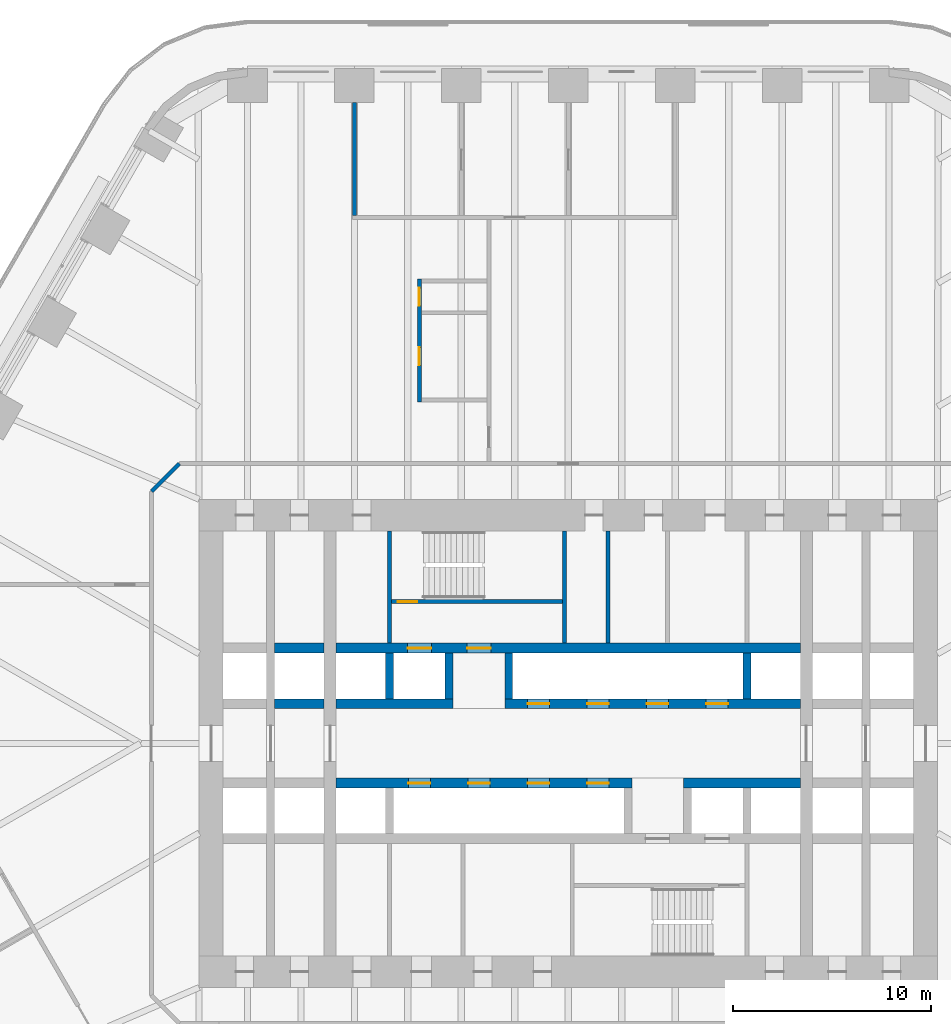
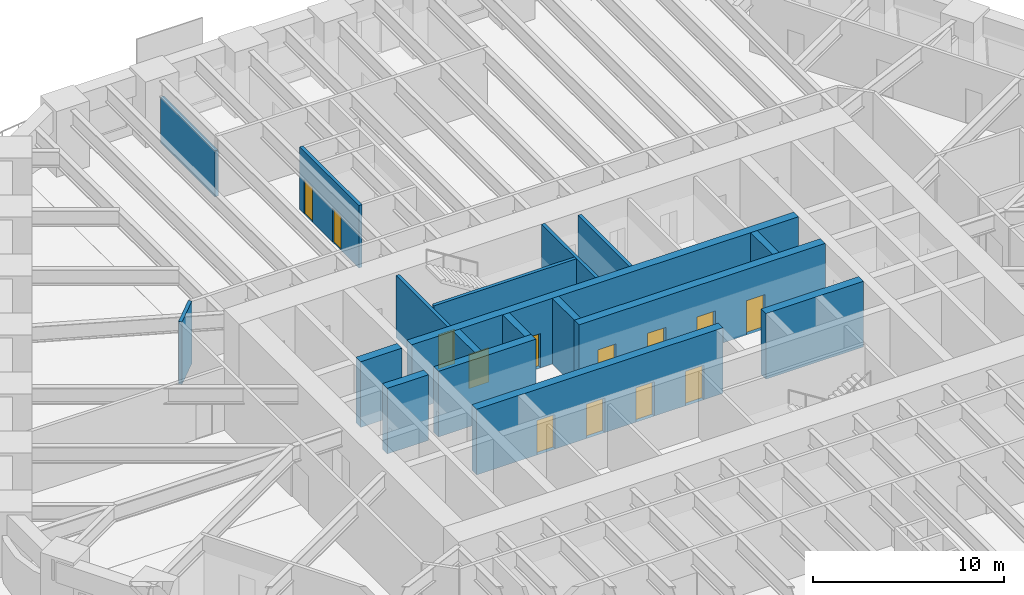
# One storey, part 18 of 24: 18 walls, 13 doors, 13 openings.
"""IFC4 building model written with IfcOpenShell, lengths in metres."""

from ifc_helpers import new_model, si_unit, direction, frame, frame_2d, origin, place, context, subcontext, project, spatial, rectangle, extrude, material, layer, layer_set, type_object, element, fill, save


model = new_model("IFC4")

# Units and contexts
model_context = context("Model", 3, precision=1e-05, world=origin(), true_north=direction((0.0, 1.0)))
body_context = subcontext(model_context, "Body", "Model", "MODEL_VIEW")
ifc_project = project(units=[si_unit("LENGTHUNIT", "METRE"), si_unit("AREAUNIT", "SQUARE_METRE"), si_unit("VOLUMEUNIT", "CUBIC_METRE"), si_unit("PLANEANGLEUNIT", "RADIAN"), si_unit("MASSUNIT", "GRAM", prefix="KILO")], contexts=[model_context])

# Site, building, storey
site_placement = place(None, origin())
site = spatial("IfcSite", under=ifc_project, at=site_placement, CompositionType="ELEMENT")
building_placement = place(site_placement, origin())
building = spatial("IfcBuilding", under=site, at=building_placement, Name="Tarfa Lantern Tower", CompositionType="ELEMENT")
storey_placement = place(building_placement, frame((0.0, 0.0, 65.5)))
storey = spatial("IfcBuildingStorey", under=building, at=storey_placement, Name="L14", CompositionType="ELEMENT", Elevation=65.5)

# Walls
ifc_material_1 = material(Name="Concrete blockwork", Category="masonry")
ifc_layer_1 = layer(ifc_material_1, 0.199951171875)
ifc_layer_set_1 = layer_set([ifc_layer_1], Name="IW1 BLOCKWORK PARTITION 200 EI 120")
wall_type_1 = type_object("IfcWallType", Name="IW1 BLOCKWORK PARTITION 200 EI 120", PredefinedType="PARTITIONING", material=ifc_layer_set_1)
for number, where, z_axis, x_axis, name in (
    (1, (-9.0, 5.050048828125, 0.0), (0.0, 0.0, 1.0), (0.0, 1.0, 0.0), "Core partition"),
    (2, (2.0, 5.050048828125, 0.0), (0.0, 0.0, 1.0), (0.0, 1.0, 0.0), "Core partition"),
):
    element("IfcWall", number, at=place(storey_placement, frame(where, z_axis=z_axis, x_axis=x_axis)), inside=storey, type_object=wall_type_1, Name=name, PredefinedType="PARTITIONING", context=body_context, shape_type="SweptSolid", body=[
        extrude(rectangle(XDim=5.64990234375, YDim=0.199951171875, at=frame_2d((2.824951171875, 0.0))), origin(), (0.0, 0.0, 1.0), 4.0),
    ])
ifc_material_2 = material(Name="Gypsum board on steel studs", Category="steel")
ifc_layer_2 = layer(ifc_material_2, 0.2099609375)
ifc_layer_set_2 = layer_set([ifc_layer_2], Name="IW2 ACOUSTIC PARTITION 200")
wall_type_2 = type_object("IfcWallType", Name="IW2 ACOUSTIC PARTITION 200", PredefinedType="PARTITIONING", material=ifc_layer_set_2)
wall_1_placement = place(storey_placement, frame((-10.777099609375, 26.60009765625, 0.0), z_axis=(0.0, 0.0, 1.0), x_axis=(0.0, 1.0, 0.0)))
element("IfcWall", 3, at=wall_1_placement, inside=storey, type_object=wall_type_2, Name="Partition", PredefinedType="PARTITIONING", context=body_context, shape_type="SweptSolid", body=[
    extrude(rectangle(XDim=5.699951171875, YDim=0.199951171875, at=frame_2d((2.85009765625, 0.0))), origin(), (0.0, 0.0, 1.0), 2.944091796875),
])
wall_2_placement = place(storey_placement, frame((-21.0, 12.699951171875, 0.0), z_axis=(0.0, 0.0, 1.0), x_axis=(0.707045124756, 0.707168432242, 0.0)))
element("IfcWall", 4, at=wall_2_placement, inside=storey, type_object=wall_type_2, Name="Partition", PredefinedType="PARTITIONING", context=body_context, shape_type="SweptSolid", body=[
    extrude(rectangle(XDim=1.97998046875, YDim=0.199951171875, at=frame_2d((0.989990234375, 0.0))), origin(), (0.0, 0.0, 1.0), 4.0),
])

# Wall, openings, doors
wall_3_placement = place(storey_placement, frame((-7.5, 17.199951171875, 0.0), z_axis=(0.0, 0.0, 1.0), x_axis=(0.0, 1.0, 0.0)))
wall_3 = element("IfcWall", 5, at=wall_3_placement, inside=storey, type_object=wall_type_2, Name="Partition", PredefinedType="PARTITIONING", context=body_context, shape_type="SweptSolid", body=[
    extrude(rectangle(XDim=6.199951171875, YDim=0.199951171875, at=frame_2d((3.10009765625, 0.0))), origin(), (0.0, 0.0, 1.0), 4.0),
])
opening_1_placement = place(wall_3_placement, frame((1.85009765625, 0.0, 0.0)))
opening_1 = element("IfcOpeningElement", 6, at=opening_1_placement, cuts=wall_3, Name="Opening D43", PredefinedType="OPENING", context=body_context, shape_type="SweptSolid", body=[
    extrude(rectangle(XDim=0.89990234375, YDim=2.199951171875, at=frame_2d((0.449951171875, 1.10009765625))), frame((0.0, 0.10986328125, 0.0), z_axis=(0.0, -1.0, 0.0), x_axis=(1.0, 0.0, 0.0)), (0.0, 0.0, 1.0), 0.219970703125),
])
opening_2_placement = place(wall_3_placement, frame((4.85009765625, 0.0, 0.0)))
opening_2 = element("IfcOpeningElement", 7, at=opening_2_placement, cuts=wall_3, Name="Opening D44", PredefinedType="OPENING", context=body_context, shape_type="SweptSolid", body=[
    extrude(rectangle(XDim=0.89990234375, YDim=2.199951171875, at=frame_2d((0.449951171875, 1.10009765625))), frame((0.0, 0.10986328125, 0.0), z_axis=(0.0, -1.0, 0.0), x_axis=(1.0, 0.0, 0.0)), (0.0, 0.0, 1.0), 0.219970703125),
])
ifc_material_3 = material(Name="Timber door", Category="wood")
door_type_1 = type_object("IfcDoorType", Name="DR3 ROOM DOOR 900x2200", OperationType="SINGLE_SWING_LEFT", PredefinedType="DOOR", material=ifc_material_3)
door_1_placement = place(opening_1_placement, frame((0.89990234375, 0.0, 0.0), z_axis=(0.0, 0.0, 1.0), x_axis=(-1.0, 0.0, 0.0)))
door_1 = element("IfcDoor", 8, at=door_1_placement, inside=storey, type_object=door_type_1, Name="Meeting room door", OperationType="SINGLE_SWING_LEFT", OverallHeight=2.199951171875, OverallWidth=0.89990234375, PredefinedType="DOOR", context=body_context, shape_type="SweptSolid", body=[
    extrude(rectangle(XDim=0.89990234375, YDim=2.199951171875, at=frame_2d((0.449951171875, 1.10009765625))), frame((0.0, 0.02490234375, 0.0), z_axis=(0.0, -1.0, 0.0), x_axis=(1.0, 0.0, 0.0)), (0.0, 0.0, 1.0), 0.050048828125),
])
fill(opening_1, door_1)
door_2_placement = place(opening_2_placement, frame((0.89990234375, 0.0, 0.0), z_axis=(0.0, 0.0, 1.0), x_axis=(-1.0, 0.0, 0.0)))
door_2 = element("IfcDoor", 9, at=door_2_placement, inside=storey, type_object=door_type_1, Name="Phone booth door", OperationType="SINGLE_SWING_RIGHT", OverallHeight=2.199951171875, OverallWidth=0.89990234375, PredefinedType="DOOR", context=body_context, shape_type="SweptSolid", body=[
    extrude(rectangle(XDim=0.89990234375, YDim=2.199951171875, at=frame_2d((0.449951171875, 1.10009765625))), frame((0.0, 0.02490234375, 0.0), z_axis=(0.0, -1.0, 0.0), x_axis=(1.0, 0.0, 0.0)), (0.0, 0.0, 1.0), 0.050048828125),
])
fill(opening_2, door_2)

# Wall
ifc_material_4 = material(Name="Concrete C80/95", Category="concrete")
ifc_layer_3 = layer(ifc_material_4, 0.199951171875)
ifc_layer_set_3 = layer_set([ifc_layer_3], Name="SW12 CORE WALL 200")
wall_type_3 = type_object("IfcWallType", Name="SW12 CORE WALL 200", PredefinedType="SHEAR", material=ifc_layer_set_3)
wall_4_placement = place(storey_placement, frame((-0.199951171875, 5.050048828125, 0.0), z_axis=(0.0, 0.0, 1.0), x_axis=(0.0, 1.0, 0.0)))
element("IfcWall", 10, at=wall_4_placement, inside=storey, type_object=wall_type_3, Name="Core wall stair shaft N", PredefinedType="SHEAR", context=body_context, shape_type="SweptSolid", body=[
    extrude(rectangle(XDim=5.64990234375, YDim=0.199951171875, at=frame_2d((2.824951171875, 0.0))), origin(), (0.0, 0.0, 1.0), 4.199951171875),
])

# Wall, opening, door
wall_5_placement = place(storey_placement, frame((-8.89990234375, 7.14990234375, 0.0), z_axis=(0.0, 0.0, 1.0), x_axis=(1.0, 0.0, 0.0)))
wall_5 = element("IfcWall", 11, at=wall_5_placement, inside=storey, type_object=wall_type_3, Name="Core wall stair partition N", PredefinedType="SHEAR", context=body_context, shape_type="SweptSolid", body=[
    extrude(rectangle(XDim=8.599853515625, YDim=0.199951171875, at=frame_2d((4.2998046875, 0.0))), origin(), (0.0, 0.0, 1.0), 4.199951171875),
])
opening_3_placement = place(wall_5_placement, frame((0.300048828125, 0.0, 0.0)))
opening_3 = element("IfcOpeningElement", 12, at=opening_3_placement, cuts=wall_5, Name="Opening D23", PredefinedType="OPENING", context=body_context, shape_type="SweptSolid", body=[
    extrude(rectangle(XDim=1.0, YDim=2.199951171875, at=frame_2d((0.5, 1.10009765625))), frame((0.0, 0.10986328125, 0.0), z_axis=(0.0, -1.0, 0.0), x_axis=(1.0, 0.0, 0.0)), (0.0, 0.0, 1.0), 0.219970703125),
])
ifc_material_5 = material(Name="Steel fire door", Category="steel")
door_type_2 = type_object("IfcDoorType", Name="DF2 STAIR DOOR 1000x2200", OperationType="SINGLE_SWING_LEFT", PredefinedType="DOOR", material=ifc_material_5)
door_3_placement = place(opening_3_placement, origin())
door_3 = element("IfcDoor", 13, at=door_3_placement, inside=storey, type_object=door_type_2, Name="Stair door", OperationType="SINGLE_SWING_RIGHT", OverallHeight=2.199951171875, OverallWidth=1.0, PredefinedType="DOOR", context=body_context, shape_type="SweptSolid", body=[
    extrude(rectangle(XDim=1.0, YDim=2.199951171875, at=frame_2d((0.5, 1.10009765625))), frame((0.0, 0.02490234375, 0.0), z_axis=(0.0, -1.0, 0.0), x_axis=(1.0, 0.0, 0.0)), (0.0, 0.0, 1.0), 0.050048828125),
])
fill(opening_3, door_3)

# Walls
ifc_layer_4 = layer(ifc_material_4, 0.5)
ifc_layer_set_4 = layer_set([ifc_layer_4], Name="SW5 CORE WALL 500")
wall_type_4 = type_object("IfcWallType", Name="SW5 CORE WALL 500", PredefinedType="SHEAR", material=ifc_layer_set_4)
wall_6_placement = place(storey_placement, frame((-14.800048828125, 2.0, 0.0), z_axis=(0.0, 0.0, 1.0), x_axis=(1.0, 0.0, 0.0)))
element("IfcWall", 14, at=wall_6_placement, inside=storey, type_object=wall_type_4, Name="Core wall lobby west N", PredefinedType="SHEAR", context=body_context, shape_type="SweptSolid", body=[
    extrude(rectangle(XDim=2.5, YDim=0.5, at=frame_2d((1.25, 0.0))), origin(), (0.0, 0.0, 1.0), 4.199951171875),
])
wall_7_placement = place(storey_placement, frame((-11.699951171875, 2.0, 0.0), z_axis=(0.0, 0.0, 1.0), x_axis=(1.0, 0.0, 0.0)))
element("IfcWall", 15, at=wall_7_placement, inside=storey, type_object=wall_type_4, Name="Core wall lobby west N", PredefinedType="SHEAR", context=body_context, shape_type="SweptSolid", body=[
    extrude(rectangle(XDim=5.89990234375, YDim=0.5, at=frame_2d((2.949951171875, 0.0))), origin(), (0.0, 0.0, 1.0), 4.199951171875),
])

# Wall, openings, doors
wall_8_placement = place(storey_placement, frame((-3.199951171875, 2.0, 0.0), z_axis=(0.0, 0.0, 1.0), x_axis=(1.0, 0.0, 0.0)))
wall_8 = element("IfcWall", 16, at=wall_8_placement, inside=storey, type_object=wall_type_4, Name="Core wall lobby east N", PredefinedType="SHEAR", context=body_context, shape_type="SweptSolid", body=[
    extrude(rectangle(XDim=14.89990234375, YDim=0.5, at=frame_2d((7.449951171875, 0.0))), origin(), (0.0, 0.0, 1.0), 4.199951171875),
])
opening_4_placement = place(wall_8_placement, frame((1.14990234375, 0.0, 0.0)))
opening_4 = element("IfcOpeningElement", 17, at=opening_4_placement, cuts=wall_8, Name="Opening LD03", PredefinedType="OPENING", context=body_context, shape_type="SweptSolid", body=[
    extrude(rectangle(XDim=1.10009765625, YDim=2.199951171875, at=frame_2d((0.550048828125, 1.10009765625))), frame((0.0, 0.260009765625, 0.0), z_axis=(0.0, -1.0, 0.0), x_axis=(1.0, 0.0, 0.0)), (0.0, 0.0, 1.0), 0.52001953125),
])
opening_5_placement = place(wall_8_placement, frame((4.14990234375, 0.0, 0.0)))
opening_5 = element("IfcOpeningElement", 18, at=opening_5_placement, cuts=wall_8, Name="Opening LD04", PredefinedType="OPENING", context=body_context, shape_type="SweptSolid", body=[
    extrude(rectangle(XDim=1.10009765625, YDim=2.199951171875, at=frame_2d((0.550048828125, 1.10009765625))), frame((0.0, 0.260009765625, 0.0), z_axis=(0.0, -1.0, 0.0), x_axis=(1.0, 0.0, 0.0)), (0.0, 0.0, 1.0), 0.52001953125),
])
opening_6_placement = place(wall_8_placement, frame((7.14990234375, 0.0, 0.0)))
opening_6 = element("IfcOpeningElement", 19, at=opening_6_placement, cuts=wall_8, Name="Opening LD05", PredefinedType="OPENING", context=body_context, shape_type="SweptSolid", body=[
    extrude(rectangle(XDim=1.10009765625, YDim=2.199951171875, at=frame_2d((0.550048828125, 1.10009765625))), frame((0.0, 0.260009765625, 0.0), z_axis=(0.0, -1.0, 0.0), x_axis=(1.0, 0.0, 0.0)), (0.0, 0.0, 1.0), 0.52001953125),
])
opening_7_placement = place(wall_8_placement, frame((10.14990234375, 0.0, 0.0)))
opening_7 = element("IfcOpeningElement", 20, at=opening_7_placement, cuts=wall_8, Name="Opening LD06", PredefinedType="OPENING", context=body_context, shape_type="SweptSolid", body=[
    extrude(rectangle(XDim=1.10009765625, YDim=2.199951171875, at=frame_2d((0.550048828125, 1.10009765625))), frame((0.0, 0.260009765625, 0.0), z_axis=(0.0, -1.0, 0.0), x_axis=(1.0, 0.0, 0.0)), (0.0, 0.0, 1.0), 0.52001953125),
])
ifc_material_6 = material(Name="Stainless steel lift door", Category="steel")
door_type_3 = type_object("IfcDoorType", Name="LD2 LIFT LANDING DOOR 1100x2200", OperationType="SLIDING_TO_LEFT", PredefinedType="DOOR", material=ifc_material_6)
door_4_placement = place(opening_4_placement, frame((1.10009765625, 0.0, 0.0), z_axis=(0.0, 0.0, 1.0), x_axis=(-1.0, 0.0, 0.0)))
door_4 = element("IfcDoor", 21, at=door_4_placement, inside=storey, type_object=door_type_3, Name="Landing door PA1", OperationType="SLIDING_TO_LEFT", OverallHeight=2.199951171875, OverallWidth=1.10009765625, PredefinedType="DOOR", context=body_context, shape_type="SweptSolid", body=[
    extrude(rectangle(XDim=1.10009765625, YDim=2.199951171875, at=frame_2d((0.550048828125, 1.10009765625))), frame((0.0, 0.02490234375, 0.0), z_axis=(0.0, -1.0, 0.0), x_axis=(1.0, 0.0, 0.0)), (0.0, 0.0, 1.0), 0.050048828125),
])
fill(opening_4, door_4)
door_5_placement = place(opening_5_placement, frame((1.10009765625, 0.0, 0.0), z_axis=(0.0, 0.0, 1.0), x_axis=(-1.0, 0.0, 0.0)))
door_5 = element("IfcDoor", 22, at=door_5_placement, inside=storey, type_object=door_type_3, Name="Landing door PA2", OperationType="SLIDING_TO_LEFT", OverallHeight=2.199951171875, OverallWidth=1.10009765625, PredefinedType="DOOR", context=body_context, shape_type="SweptSolid", body=[
    extrude(rectangle(XDim=1.10009765625, YDim=2.199951171875, at=frame_2d((0.550048828125, 1.10009765625))), frame((0.0, 0.02490234375, 0.0), z_axis=(0.0, -1.0, 0.0), x_axis=(1.0, 0.0, 0.0)), (0.0, 0.0, 1.0), 0.050048828125),
])
fill(opening_5, door_5)
door_6_placement = place(opening_6_placement, frame((1.10009765625, 0.0, 0.0), z_axis=(0.0, 0.0, 1.0), x_axis=(-1.0, 0.0, 0.0)))
door_6 = element("IfcDoor", 23, at=door_6_placement, inside=storey, type_object=door_type_3, Name="Landing door PA3", OperationType="SLIDING_TO_LEFT", OverallHeight=2.199951171875, OverallWidth=1.10009765625, PredefinedType="DOOR", context=body_context, shape_type="SweptSolid", body=[
    extrude(rectangle(XDim=1.10009765625, YDim=2.199951171875, at=frame_2d((0.550048828125, 1.10009765625))), frame((0.0, 0.02490234375, 0.0), z_axis=(0.0, -1.0, 0.0), x_axis=(1.0, 0.0, 0.0)), (0.0, 0.0, 1.0), 0.050048828125),
])
fill(opening_6, door_6)
door_7_placement = place(opening_7_placement, frame((1.10009765625, 0.0, 0.0), z_axis=(0.0, 0.0, 1.0), x_axis=(-1.0, 0.0, 0.0)))
door_7 = element("IfcDoor", 24, at=door_7_placement, inside=storey, type_object=door_type_3, Name="Landing door PA4", OperationType="SLIDING_TO_LEFT", OverallHeight=2.199951171875, OverallWidth=1.10009765625, PredefinedType="DOOR", context=body_context, shape_type="SweptSolid", body=[
    extrude(rectangle(XDim=1.10009765625, YDim=2.199951171875, at=frame_2d((0.550048828125, 1.10009765625))), frame((0.0, 0.02490234375, 0.0), z_axis=(0.0, -1.0, 0.0), x_axis=(1.0, 0.0, 0.0)), (0.0, 0.0, 1.0), 0.050048828125),
])
fill(opening_7, door_7)

# Wall
wall_9_placement = place(storey_placement, frame((-14.800048828125, 4.800048828125, 0.0), z_axis=(0.0, 0.0, 1.0), x_axis=(1.0, 0.0, 0.0)))
element("IfcWall", 25, at=wall_9_placement, inside=storey, type_object=wall_type_4, Name="Core wall rear N", PredefinedType="SHEAR", context=body_context, shape_type="SweptSolid", body=[
    extrude(rectangle(XDim=2.5, YDim=0.5, at=frame_2d((1.25, 0.0))), origin(), (0.0, 0.0, 1.0), 4.199951171875),
])

# Wall, openings, doors
wall_10_placement = place(storey_placement, frame((-11.699951171875, 4.800048828125, 0.0), z_axis=(0.0, 0.0, 1.0), x_axis=(1.0, 0.0, 0.0)))
wall_10 = element("IfcWall", 26, at=wall_10_placement, inside=storey, type_object=wall_type_4, Name="Core wall rear N", PredefinedType="SHEAR", context=body_context, shape_type="SweptSolid", body=[
    extrude(rectangle(XDim=23.39990234375, YDim=0.5, at=frame_2d((11.699951171875, 0.0))), origin(), (0.0, 0.0, 1.0), 4.199951171875),
])
opening_8_placement = place(wall_10_placement, frame((6.60009765625, 0.0, 0.0)))
opening_8 = element("IfcOpeningElement", 27, at=opening_8_placement, cuts=wall_10, Name="Opening D13", PredefinedType="OPENING", context=body_context, shape_type="SweptSolid", body=[
    extrude(rectangle(XDim=1.199951171875, YDim=2.199951171875, at=frame_2d((0.60009765625, 1.10009765625))), frame((0.0, 0.260009765625, 0.0), z_axis=(0.0, -1.0, 0.0), x_axis=(1.0, 0.0, 0.0)), (0.0, 0.0, 1.0), 0.52001953125),
])
opening_9_placement = place(wall_10_placement, frame((3.60009765625, 0.0, 0.0)))
opening_9 = element("IfcOpeningElement", 28, at=opening_9_placement, cuts=wall_10, Name="Opening LD01", PredefinedType="OPENING", context=body_context, shape_type="SweptSolid", body=[
    extrude(rectangle(XDim=1.199951171875, YDim=2.199951171875, at=frame_2d((0.60009765625, 1.10009765625))), frame((0.0, 0.260009765625, 0.0), z_axis=(0.0, -1.0, 0.0), x_axis=(1.0, 0.0, 0.0)), (0.0, 0.0, 1.0), 0.52001953125),
])
door_type_4 = type_object("IfcDoorType", Name="DF1 FIREFIGHTING LOBBY DOOR 1200x2200", OperationType="SINGLE_SWING_LEFT", PredefinedType="DOOR", material=ifc_material_5)
door_8_placement = place(opening_8_placement, origin())
door_8 = element("IfcDoor", 29, at=door_8_placement, inside=storey, type_object=door_type_4, Name="Firefighting lobby door", OperationType="SINGLE_SWING_LEFT", OverallHeight=2.199951171875, OverallWidth=1.199951171875, PredefinedType="DOOR", context=body_context, shape_type="SweptSolid", body=[
    extrude(rectangle(XDim=1.199951171875, YDim=2.199951171875, at=frame_2d((0.60009765625, 1.10009765625))), frame((0.0, 0.02490234375, 0.0), z_axis=(0.0, -1.0, 0.0), x_axis=(1.0, 0.0, 0.0)), (0.0, 0.0, 1.0), 0.050048828125),
])
fill(opening_8, door_8)
door_type_5 = type_object("IfcDoorType", Name="LD1 LIFT LANDING DOOR 1200x2200", OperationType="SLIDING_TO_LEFT", PredefinedType="DOOR", material=ifc_material_6)
door_9_placement = place(opening_9_placement, origin())
door_9 = element("IfcDoor", 30, at=door_9_placement, inside=storey, type_object=door_type_5, Name="Landing door FL1", OperationType="SLIDING_TO_LEFT", OverallHeight=2.199951171875, OverallWidth=1.199951171875, PredefinedType="DOOR", context=body_context, shape_type="SweptSolid", body=[
    extrude(rectangle(XDim=1.199951171875, YDim=2.199951171875, at=frame_2d((0.60009765625, 1.10009765625))), frame((0.0, 0.02490234375, 0.0), z_axis=(0.0, -1.0, 0.0), x_axis=(1.0, 0.0, 0.0)), (0.0, 0.0, 1.0), 0.050048828125),
])
fill(opening_9, door_9)

# Wall
wall_11_placement = place(storey_placement, frame((11.699951171875, -2.0, 0.0), z_axis=(0.0, 0.0, 1.0), x_axis=(-1.0, 0.0, 0.0)))
element("IfcWall", 31, at=wall_11_placement, inside=storey, type_object=wall_type_4, Name="Core wall lobby west S", PredefinedType="SHEAR", context=body_context, shape_type="SweptSolid", body=[
    extrude(rectangle(XDim=5.89990234375, YDim=0.5, at=frame_2d((2.949951171875, 0.0))), origin(), (0.0, 0.0, 1.0), 4.199951171875),
])

# Wall, openings, doors
wall_12_placement = place(storey_placement, frame((3.199951171875, -2.0, 0.0), z_axis=(0.0, 0.0, 1.0), x_axis=(-1.0, 0.0, 0.0)))
wall_12 = element("IfcWall", 32, at=wall_12_placement, inside=storey, type_object=wall_type_4, Name="Core wall lobby east S", PredefinedType="SHEAR", context=body_context, shape_type="SweptSolid", body=[
    extrude(rectangle(XDim=14.89990234375, YDim=0.5, at=frame_2d((7.449951171875, 0.0))), origin(), (0.0, 0.0, 1.0), 4.199951171875),
])
opening_10_placement = place(wall_12_placement, frame((1.14990234375, 0.0, 0.0)))
opening_10 = element("IfcOpeningElement", 33, at=opening_10_placement, cuts=wall_12, Name="Opening LD07", PredefinedType="OPENING", context=body_context, shape_type="SweptSolid", body=[
    extrude(rectangle(XDim=1.10009765625, YDim=2.199951171875, at=frame_2d((0.550048828125, 1.10009765625))), frame((0.0, 0.260009765625, 0.0), z_axis=(0.0, -1.0, 0.0), x_axis=(1.0, 0.0, 0.0)), (0.0, 0.0, 1.0), 0.52001953125),
])
opening_11_placement = place(wall_12_placement, frame((4.14990234375, 0.0, 0.0)))
opening_11 = element("IfcOpeningElement", 34, at=opening_11_placement, cuts=wall_12, Name="Opening LD08", PredefinedType="OPENING", context=body_context, shape_type="SweptSolid", body=[
    extrude(rectangle(XDim=1.10009765625, YDim=2.199951171875, at=frame_2d((0.550048828125, 1.10009765625))), frame((0.0, 0.260009765625, 0.0), z_axis=(0.0, -1.0, 0.0), x_axis=(1.0, 0.0, 0.0)), (0.0, 0.0, 1.0), 0.52001953125),
])
opening_12_placement = place(wall_12_placement, frame((7.14990234375, 0.0, 0.0)))
opening_12 = element("IfcOpeningElement", 35, at=opening_12_placement, cuts=wall_12, Name="Opening LD09", PredefinedType="OPENING", context=body_context, shape_type="SweptSolid", body=[
    extrude(rectangle(XDim=1.10009765625, YDim=2.199951171875, at=frame_2d((0.550048828125, 1.10009765625))), frame((0.0, 0.260009765625, 0.0), z_axis=(0.0, -1.0, 0.0), x_axis=(1.0, 0.0, 0.0)), (0.0, 0.0, 1.0), 0.52001953125),
])
opening_13_placement = place(wall_12_placement, frame((10.14990234375, 0.0, 0.0)))
opening_13 = element("IfcOpeningElement", 36, at=opening_13_placement, cuts=wall_12, Name="Opening LD10", PredefinedType="OPENING", context=body_context, shape_type="SweptSolid", body=[
    extrude(rectangle(XDim=1.10009765625, YDim=2.199951171875, at=frame_2d((0.550048828125, 1.10009765625))), frame((0.0, 0.260009765625, 0.0), z_axis=(0.0, -1.0, 0.0), x_axis=(1.0, 0.0, 0.0)), (0.0, 0.0, 1.0), 0.52001953125),
])
door_10_placement = place(opening_10_placement, frame((1.10009765625, 0.0, 0.0), z_axis=(0.0, 0.0, 1.0), x_axis=(-1.0, 0.0, 0.0)))
door_10 = element("IfcDoor", 37, at=door_10_placement, inside=storey, type_object=door_type_3, Name="Landing door PA5", OperationType="SLIDING_TO_LEFT", OverallHeight=2.199951171875, OverallWidth=1.10009765625, PredefinedType="DOOR", context=body_context, shape_type="SweptSolid", body=[
    extrude(rectangle(XDim=1.10009765625, YDim=2.199951171875, at=frame_2d((0.550048828125, 1.10009765625))), frame((0.0, 0.02490234375, 0.0), z_axis=(0.0, -1.0, 0.0), x_axis=(1.0, 0.0, 0.0)), (0.0, 0.0, 1.0), 0.050048828125),
])
fill(opening_10, door_10)
door_11_placement = place(opening_11_placement, frame((1.10009765625, 0.0, 0.0), z_axis=(0.0, 0.0, 1.0), x_axis=(-1.0, 0.0, 0.0)))
door_11 = element("IfcDoor", 38, at=door_11_placement, inside=storey, type_object=door_type_3, Name="Landing door PA6", OperationType="SLIDING_TO_LEFT", OverallHeight=2.199951171875, OverallWidth=1.10009765625, PredefinedType="DOOR", context=body_context, shape_type="SweptSolid", body=[
    extrude(rectangle(XDim=1.10009765625, YDim=2.199951171875, at=frame_2d((0.550048828125, 1.10009765625))), frame((0.0, 0.02490234375, 0.0), z_axis=(0.0, -1.0, 0.0), x_axis=(1.0, 0.0, 0.0)), (0.0, 0.0, 1.0), 0.050048828125),
])
fill(opening_11, door_11)
door_12_placement = place(opening_12_placement, frame((1.10009765625, 0.0, 0.0), z_axis=(0.0, 0.0, 1.0), x_axis=(-1.0, 0.0, 0.0)))
door_12 = element("IfcDoor", 39, at=door_12_placement, inside=storey, type_object=door_type_3, Name="Landing door PA7", OperationType="SLIDING_TO_LEFT", OverallHeight=2.199951171875, OverallWidth=1.10009765625, PredefinedType="DOOR", context=body_context, shape_type="SweptSolid", body=[
    extrude(rectangle(XDim=1.10009765625, YDim=2.199951171875, at=frame_2d((0.550048828125, 1.10009765625))), frame((0.0, 0.02490234375, 0.0), z_axis=(0.0, -1.0, 0.0), x_axis=(1.0, 0.0, 0.0)), (0.0, 0.0, 1.0), 0.050048828125),
])
fill(opening_12, door_12)
door_13_placement = place(opening_13_placement, frame((1.10009765625, 0.0, 0.0), z_axis=(0.0, 0.0, 1.0), x_axis=(-1.0, 0.0, 0.0)))
door_13 = element("IfcDoor", 40, at=door_13_placement, inside=storey, type_object=door_type_3, Name="Landing door PA8", OperationType="SLIDING_TO_LEFT", OverallHeight=2.199951171875, OverallWidth=1.10009765625, PredefinedType="DOOR", context=body_context, shape_type="SweptSolid", body=[
    extrude(rectangle(XDim=1.10009765625, YDim=2.199951171875, at=frame_2d((0.550048828125, 1.10009765625))), frame((0.0, 0.02490234375, 0.0), z_axis=(0.0, -1.0, 0.0), x_axis=(1.0, 0.0, 0.0)), (0.0, 0.0, 1.0), 0.050048828125),
])
fill(opening_13, door_13)

# Walls
ifc_layer_5 = layer(ifc_material_4, 0.39990234375)
ifc_layer_set_5 = layer_set([ifc_layer_5], Name="SW6 CORE WALL 400")
wall_type_5 = type_object("IfcWallType", Name="SW6 CORE WALL 400", PredefinedType="SHEAR", material=ifc_layer_set_5)
for number, where, z_axis, x_axis, name in (
    (41, (-9.0, 2.25, 0.0), (0.0, 0.0, 1.0), (0.0, 1.0, 0.0), "Core wall divider N"),
    (42, (-6.0, 2.25, 0.0), (0.0, 0.0, 1.0), (0.0, 1.0, 0.0), "Core wall divider N"),
    (43, (-3.0, 2.25, 0.0), (0.0, 0.0, 1.0), (0.0, 1.0, 0.0), "Core wall divider N"),
    (44, (9.0, 2.25, 0.0), (0.0, 0.0, 1.0), (0.0, 1.0, 0.0), "Core wall divider N"),
):
    element("IfcWall", number, at=place(storey_placement, frame(where, z_axis=z_axis, x_axis=x_axis)), inside=storey, type_object=wall_type_5, Name=name, PredefinedType="SHEAR", context=body_context, shape_type="SweptSolid", body=[
        extrude(rectangle(XDim=2.300048828125, YDim=0.39990234375, at=frame_2d((1.14990234375, 0.0))), origin(), (0.0, 0.0, 1.0), 4.199951171875),
    ])

save(model, "model.ifc")
